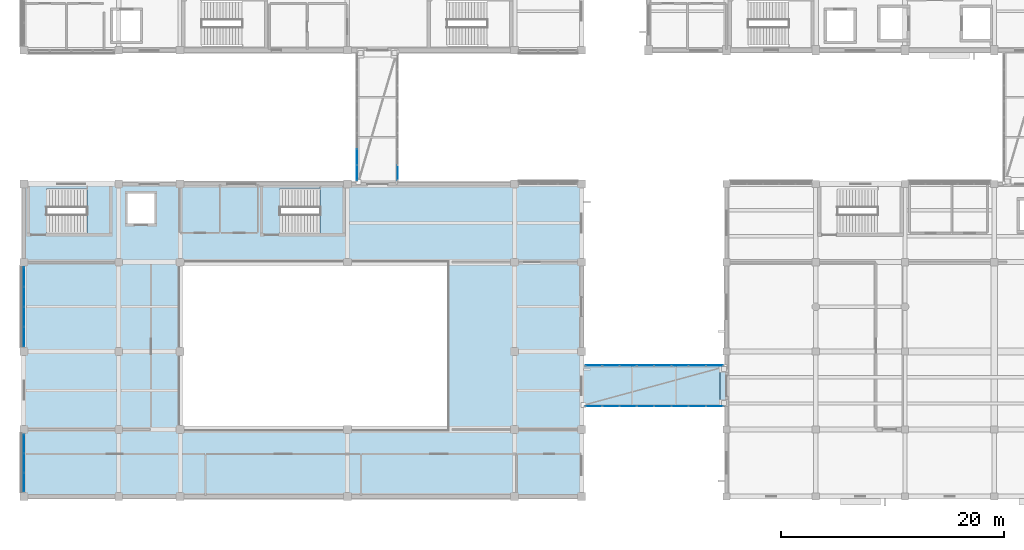
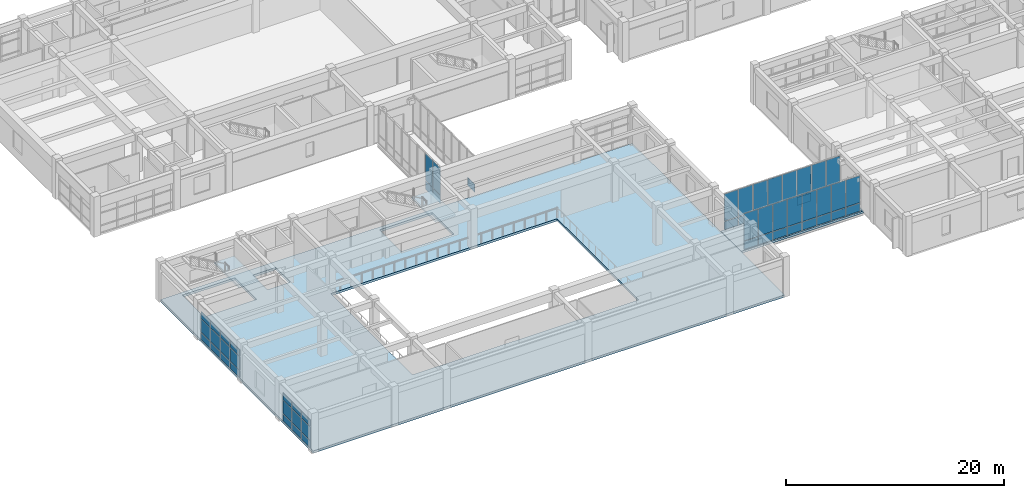
# One storey, part 36 of 70: 59 plates, 4 slabs, 8 elements without a shape of their own.
"""IFC4 building model written with IfcOpenShell, lengths in metres."""

from ifc_helpers import new_model, si_unit, direction, frame, origin, origin_2d, place, context, subcontext, project, spatial, polyline, rectangle, outline, extrude, material, layer, layer_set, type_object, element, aggregate, save


model = new_model("IFC4")

# Units and contexts
model_context = context("Model", 3, precision=1e-05, world=origin(), true_north=direction((0.0, 1.0)))
body_context = subcontext(model_context, "Body", "Model", "MODEL_VIEW")
ifc_project = project(units=[si_unit("LENGTHUNIT", "METRE"), si_unit("AREAUNIT", "SQUARE_METRE"), si_unit("VOLUMEUNIT", "CUBIC_METRE"), si_unit("PLANEANGLEUNIT", "RADIAN"), si_unit("MASSUNIT", "GRAM", prefix="KILO")], contexts=[model_context])

# Site, building, storey
site_placement = place(None, origin())
site = spatial("IfcSite", under=ifc_project, at=site_placement, CompositionType="ELEMENT")
building_placement = place(site_placement, origin())
building = spatial("IfcBuilding", under=site, at=building_placement, Name="Naurynzar Civic Courthouse", CompositionType="ELEMENT")
storey_placement = place(building_placement, frame((0.0, 0.0, 5.39990234375)))
storey = spatial("IfcBuildingStorey", under=building, at=storey_placement, Name="L02", CompositionType="ELEMENT", Elevation=5.39990234375)

# Curtain wall, plates
ifc_material_1 = material(Name="Aluminium 6063-T6", Category="aluminium")
ifc_layer_1 = layer(ifc_material_1, 0.14990234375)
ifc_layer_set_1 = layer_set([ifc_layer_1], Name="CW-BRIDGE-1500")
curtain_wall_type_1 = type_object("IfcCurtainWallType", Name="CW-BRIDGE-1500", PredefinedType="USERDEFINED", material=ifc_layer_set_1)
curtain_wall_1_placement = place(storey_placement, origin())
curtain_wall_1 = element("IfcCurtainWall", 1, at=curtain_wall_1_placement, inside=storey, type_object=curtain_wall_type_1, Name="BR-W1 glazed bridge screen L02.1", ObjectType="GLAZED BRIDGE SCREEN", PredefinedType="USERDEFINED")
ifc_material_2 = material(Name="Tempered Laminated Low-E Glass", Category="glass")
ifc_layer_2 = layer(ifc_material_2, 0.031982421875)
ifc_layer_set_2 = layer_set([ifc_layer_2], Name="CWP-IGU-32")
plate_type_1 = type_object("IfcPlateType", Name="CWP-IGU-32", PredefinedType="CURTAIN_PANEL", material=ifc_layer_set_2)
plate_1_placement = place(storey_placement, frame((35.8798828125, 34.4375, 0.06005859375), z_axis=(0.0, 0.0, 1.0), x_axis=(0.0, -1.0, 0.0)))
plate_1 = element("IfcPlate", 2, at=plate_1_placement, type_object=plate_type_1, Name="CW-03 panel 7.1", PredefinedType="CURTAIN_PANEL", context=body_context, shape_type="SweptSolid", body=[
    extrude(rectangle(XDim=1.364990234375, YDim=0.031982421875, at=origin_2d()), origin(), (0.0, 0.0, 1.0), 0.909912109375),
])
plate_2_placement = place(storey_placement, frame((35.8798828125, 34.4375, 1.0302734375), z_axis=(0.0, 0.0, 1.0), x_axis=(0.0, -1.0, 0.0)))
plate_2 = element("IfcPlate", 3, at=plate_2_placement, type_object=plate_type_1, Name="CW-03 panel 7.2", PredefinedType="CURTAIN_PANEL", context=body_context, shape_type="SweptSolid", body=[
    extrude(rectangle(XDim=1.364990234375, YDim=0.031982421875, at=origin_2d()), origin(), (0.0, 0.0, 1.0), 3.030029296875),
])
plate_3_placement = place(storey_placement, frame((35.8798828125, 33.027587890625, 0.06005859375), z_axis=(0.0, 0.0, 1.0), x_axis=(0.0, -1.0, 0.0)))
plate_3 = element("IfcPlate", 4, at=plate_3_placement, type_object=plate_type_1, Name="CW-03 panel 8.1", PredefinedType="CURTAIN_PANEL", context=body_context, shape_type="SweptSolid", body=[
    extrude(rectangle(XDim=1.3349609375, YDim=0.031982421875, at=origin_2d()), origin(), (0.0, 0.0, 1.0), 0.909912109375),
])
plate_4_placement = place(storey_placement, frame((35.8798828125, 33.027587890625, 1.0302734375), z_axis=(0.0, 0.0, 1.0), x_axis=(0.0, -1.0, 0.0)))
plate_4 = element("IfcPlate", 5, at=plate_4_placement, type_object=plate_type_1, Name="CW-03 panel 8.2", PredefinedType="CURTAIN_PANEL", context=body_context, shape_type="SweptSolid", body=[
    extrude(rectangle(XDim=1.3349609375, YDim=0.031982421875, at=origin_2d()), origin(), (0.0, 0.0, 1.0), 3.030029296875),
])
aggregate(curtain_wall_1, [plate_1, plate_2, plate_3, plate_4])

# Curtain wall, plate
curtain_wall_2_placement = place(storey_placement, origin())
curtain_wall_2 = element("IfcCurtainWall", 6, at=curtain_wall_2_placement, inside=storey, type_object=curtain_wall_type_1, Name="BR-W1 glazed bridge screen L02.2", ObjectType="GLAZED BRIDGE SCREEN", PredefinedType="USERDEFINED")
plate_5_placement = place(storey_placement, frame((39.52001953125, 33.027587890625, 0.06005859375), z_axis=(0.0, 0.0, 1.0), x_axis=(0.0, 1.0, 0.0)))
plate_5 = element("IfcPlate", 7, at=plate_5_placement, type_object=plate_type_1, Name="CW-03 panel 1.1", PredefinedType="CURTAIN_PANEL", context=body_context, shape_type="SweptSolid", body=[
    extrude(rectangle(XDim=1.3349609375, YDim=0.031982421875, at=origin_2d()), origin(), (0.0, 0.0, 1.0), 0.909912109375),
])
aggregate(curtain_wall_2, [plate_5])

# Curtain wall, plates
curtain_wall_3_placement = place(storey_placement, origin())
curtain_wall_3 = element("IfcCurtainWall", 8, at=curtain_wall_3_placement, inside=storey, type_object=curtain_wall_type_1, Name="BR-S1 glazed bridge screen L02.1", ObjectType="GLAZED BRIDGE SCREEN", PredefinedType="USERDEFINED")
plate_6_placement = place(storey_placement, frame((57.090087890625, 12.080078125, 0.06005859375), z_axis=(0.0, 0.0, 1.0), x_axis=(1.0, 0.0, 0.0)))
plate_6 = element("IfcPlate", 9, at=plate_6_placement, type_object=plate_type_1, Name="CW-03 panel 1.1", PredefinedType="CURTAIN_PANEL", context=body_context, shape_type="SweptSolid", body=[
    extrude(rectangle(XDim=1.4599609375, YDim=0.031982421875, at=origin_2d()), origin(), (0.0, 0.0, 1.0), 0.909912109375),
])
plate_7_placement = place(storey_placement, frame((57.090087890625, 12.080078125, 1.0302734375), z_axis=(0.0, 0.0, 1.0), x_axis=(1.0, 0.0, 0.0)))
plate_7 = element("IfcPlate", 10, at=plate_7_placement, type_object=plate_type_1, Name="CW-03 panel 1.2", PredefinedType="CURTAIN_PANEL", context=body_context, shape_type="SweptSolid", body=[
    extrude(rectangle(XDim=1.4599609375, YDim=0.031982421875, at=origin_2d()), origin(), (0.0, 0.0, 1.0), 3.030029296875),
])
plate_8_placement = place(storey_placement, frame((58.625, 12.080078125, 0.06005859375), z_axis=(0.0, 0.0, 1.0), x_axis=(1.0, 0.0, 0.0)))
plate_8 = element("IfcPlate", 11, at=plate_8_placement, type_object=plate_type_1, Name="CW-03 panel 2.1", PredefinedType="CURTAIN_PANEL", context=body_context, shape_type="SweptSolid", body=[
    extrude(rectangle(XDim=1.489990234375, YDim=0.031982421875, at=origin_2d()), origin(), (0.0, 0.0, 1.0), 0.909912109375),
])
plate_9_placement = place(storey_placement, frame((58.625, 12.080078125, 1.0302734375), z_axis=(0.0, 0.0, 1.0), x_axis=(1.0, 0.0, 0.0)))
plate_9 = element("IfcPlate", 12, at=plate_9_placement, type_object=plate_type_1, Name="CW-03 panel 2.2", PredefinedType="CURTAIN_PANEL", context=body_context, shape_type="SweptSolid", body=[
    extrude(rectangle(XDim=1.489990234375, YDim=0.031982421875, at=origin_2d()), origin(), (0.0, 0.0, 1.0), 3.030029296875),
])
plate_10_placement = place(storey_placement, frame((60.175048828125, 12.080078125, 0.06005859375), z_axis=(0.0, 0.0, 1.0), x_axis=(1.0, 0.0, 0.0)))
plate_10 = element("IfcPlate", 13, at=plate_10_placement, type_object=plate_type_1, Name="CW-03 panel 3.1", PredefinedType="CURTAIN_PANEL", context=body_context, shape_type="SweptSolid", body=[
    extrude(rectangle(XDim=1.489990234375, YDim=0.031982421875, at=origin_2d()), origin(), (0.0, 0.0, 1.0), 0.909912109375),
])
plate_11_placement = place(storey_placement, frame((60.175048828125, 12.080078125, 1.0302734375), z_axis=(0.0, 0.0, 1.0), x_axis=(1.0, 0.0, 0.0)))
plate_11 = element("IfcPlate", 14, at=plate_11_placement, type_object=plate_type_1, Name="CW-03 panel 3.2", PredefinedType="CURTAIN_PANEL", context=body_context, shape_type="SweptSolid", body=[
    extrude(rectangle(XDim=1.489990234375, YDim=0.031982421875, at=origin_2d()), origin(), (0.0, 0.0, 1.0), 3.030029296875),
])
plate_12_placement = place(storey_placement, frame((61.72509765625, 12.080078125, 0.06005859375), z_axis=(0.0, 0.0, 1.0), x_axis=(1.0, 0.0, 0.0)))
plate_12 = element("IfcPlate", 15, at=plate_12_placement, type_object=plate_type_1, Name="CW-03 panel 4.1", PredefinedType="CURTAIN_PANEL", context=body_context, shape_type="SweptSolid", body=[
    extrude(rectangle(XDim=1.489990234375, YDim=0.031982421875, at=origin_2d()), origin(), (0.0, 0.0, 1.0), 0.909912109375),
])
plate_13_placement = place(storey_placement, frame((61.72509765625, 12.080078125, 1.0302734375), z_axis=(0.0, 0.0, 1.0), x_axis=(1.0, 0.0, 0.0)))
plate_13 = element("IfcPlate", 16, at=plate_13_placement, type_object=plate_type_1, Name="CW-03 panel 4.2", PredefinedType="CURTAIN_PANEL", context=body_context, shape_type="SweptSolid", body=[
    extrude(rectangle(XDim=1.489990234375, YDim=0.031982421875, at=origin_2d()), origin(), (0.0, 0.0, 1.0), 3.030029296875),
])
plate_14_placement = place(storey_placement, frame((63.27490234375, 12.080078125, 0.06005859375), z_axis=(0.0, 0.0, 1.0), x_axis=(1.0, 0.0, 0.0)))
plate_14 = element("IfcPlate", 17, at=plate_14_placement, type_object=plate_type_1, Name="CW-03 panel 5.1", PredefinedType="CURTAIN_PANEL", context=body_context, shape_type="SweptSolid", body=[
    extrude(rectangle(XDim=1.489990234375, YDim=0.031982421875, at=origin_2d()), origin(), (0.0, 0.0, 1.0), 0.909912109375),
])
plate_15_placement = place(storey_placement, frame((63.27490234375, 12.080078125, 1.0302734375), z_axis=(0.0, 0.0, 1.0), x_axis=(1.0, 0.0, 0.0)))
plate_15 = element("IfcPlate", 18, at=plate_15_placement, type_object=plate_type_1, Name="CW-03 panel 5.2", PredefinedType="CURTAIN_PANEL", context=body_context, shape_type="SweptSolid", body=[
    extrude(rectangle(XDim=1.489990234375, YDim=0.031982421875, at=origin_2d()), origin(), (0.0, 0.0, 1.0), 3.030029296875),
])
plate_16_placement = place(storey_placement, frame((64.824951171875, 12.080078125, 0.06005859375), z_axis=(0.0, 0.0, 1.0), x_axis=(1.0, 0.0, 0.0)))
plate_16 = element("IfcPlate", 19, at=plate_16_placement, type_object=plate_type_1, Name="CW-03 panel 6.1", PredefinedType="CURTAIN_PANEL", context=body_context, shape_type="SweptSolid", body=[
    extrude(rectangle(XDim=1.489990234375, YDim=0.031982421875, at=origin_2d()), origin(), (0.0, 0.0, 1.0), 0.909912109375),
])
plate_17_placement = place(storey_placement, frame((64.824951171875, 12.080078125, 1.0302734375), z_axis=(0.0, 0.0, 1.0), x_axis=(1.0, 0.0, 0.0)))
plate_17 = element("IfcPlate", 20, at=plate_17_placement, type_object=plate_type_1, Name="CW-03 panel 6.2", PredefinedType="CURTAIN_PANEL", context=body_context, shape_type="SweptSolid", body=[
    extrude(rectangle(XDim=1.489990234375, YDim=0.031982421875, at=origin_2d()), origin(), (0.0, 0.0, 1.0), 3.030029296875),
])
plate_18_placement = place(storey_placement, frame((66.375, 12.080078125, 0.06005859375), z_axis=(0.0, 0.0, 1.0), x_axis=(1.0, 0.0, 0.0)))
plate_18 = element("IfcPlate", 21, at=plate_18_placement, type_object=plate_type_1, Name="CW-03 panel 7.1", PredefinedType="CURTAIN_PANEL", context=body_context, shape_type="SweptSolid", body=[
    extrude(rectangle(XDim=1.489990234375, YDim=0.031982421875, at=origin_2d()), origin(), (0.0, 0.0, 1.0), 0.909912109375),
])
plate_19_placement = place(storey_placement, frame((66.375, 12.080078125, 1.0302734375), z_axis=(0.0, 0.0, 1.0), x_axis=(1.0, 0.0, 0.0)))
plate_19 = element("IfcPlate", 22, at=plate_19_placement, type_object=plate_type_1, Name="CW-03 panel 7.2", PredefinedType="CURTAIN_PANEL", context=body_context, shape_type="SweptSolid", body=[
    extrude(rectangle(XDim=1.489990234375, YDim=0.031982421875, at=origin_2d()), origin(), (0.0, 0.0, 1.0), 3.030029296875),
])
plate_20_placement = place(storey_placement, frame((67.909912109375, 12.080078125, 0.06005859375), z_axis=(0.0, 0.0, 1.0), x_axis=(1.0, 0.0, 0.0)))
plate_20 = element("IfcPlate", 23, at=plate_20_placement, type_object=plate_type_1, Name="CW-03 panel 8.1", PredefinedType="CURTAIN_PANEL", context=body_context, shape_type="SweptSolid", body=[
    extrude(rectangle(XDim=1.4599609375, YDim=0.031982421875, at=origin_2d()), origin(), (0.0, 0.0, 1.0), 0.909912109375),
])
plate_21_placement = place(storey_placement, frame((67.909912109375, 12.080078125, 1.0302734375), z_axis=(0.0, 0.0, 1.0), x_axis=(1.0, 0.0, 0.0)))
plate_21 = element("IfcPlate", 24, at=plate_21_placement, type_object=plate_type_1, Name="CW-03 panel 8.2", PredefinedType="CURTAIN_PANEL", context=body_context, shape_type="SweptSolid", body=[
    extrude(rectangle(XDim=1.4599609375, YDim=0.031982421875, at=origin_2d()), origin(), (0.0, 0.0, 1.0), 3.030029296875),
])
aggregate(curtain_wall_3, [plate_6, plate_7, plate_8, plate_9, plate_10, plate_11, plate_12, plate_13, plate_14, plate_15, plate_16, plate_17, plate_18, plate_19, plate_20, plate_21])

curtain_wall_4_placement = place(storey_placement, origin())
curtain_wall_4 = element("IfcCurtainWall", 25, at=curtain_wall_4_placement, inside=storey, type_object=curtain_wall_type_1, Name="BR-S1 glazed bridge screen L02.2", ObjectType="GLAZED BRIDGE SCREEN", PredefinedType="USERDEFINED")
plate_22_placement = place(storey_placement, frame((67.909912109375, 15.719970703125, 0.06005859375), z_axis=(0.0, 0.0, 1.0), x_axis=(-1.0, 0.0, 0.0)))
plate_22 = element("IfcPlate", 26, at=plate_22_placement, type_object=plate_type_1, Name="CW-03 panel 1.1", PredefinedType="CURTAIN_PANEL", context=body_context, shape_type="SweptSolid", body=[
    extrude(rectangle(XDim=1.4599609375, YDim=0.031982421875, at=origin_2d()), origin(), (0.0, 0.0, 1.0), 0.909912109375),
])
plate_23_placement = place(storey_placement, frame((67.909912109375, 15.719970703125, 1.0302734375), z_axis=(0.0, 0.0, 1.0), x_axis=(-1.0, 0.0, 0.0)))
plate_23 = element("IfcPlate", 27, at=plate_23_placement, type_object=plate_type_1, Name="CW-03 panel 1.2", PredefinedType="CURTAIN_PANEL", context=body_context, shape_type="SweptSolid", body=[
    extrude(rectangle(XDim=1.4599609375, YDim=0.031982421875, at=origin_2d()), origin(), (0.0, 0.0, 1.0), 3.030029296875),
])
plate_24_placement = place(storey_placement, frame((66.375, 15.719970703125, 0.06005859375), z_axis=(0.0, 0.0, 1.0), x_axis=(-1.0, 0.0, 0.0)))
plate_24 = element("IfcPlate", 28, at=plate_24_placement, type_object=plate_type_1, Name="CW-03 panel 2.1", PredefinedType="CURTAIN_PANEL", context=body_context, shape_type="SweptSolid", body=[
    extrude(rectangle(XDim=1.489990234375, YDim=0.031982421875, at=origin_2d()), origin(), (0.0, 0.0, 1.0), 0.909912109375),
])
plate_25_placement = place(storey_placement, frame((66.375, 15.719970703125, 1.0302734375), z_axis=(0.0, 0.0, 1.0), x_axis=(-1.0, 0.0, 0.0)))
plate_25 = element("IfcPlate", 29, at=plate_25_placement, type_object=plate_type_1, Name="CW-03 panel 2.2", PredefinedType="CURTAIN_PANEL", context=body_context, shape_type="SweptSolid", body=[
    extrude(rectangle(XDim=1.489990234375, YDim=0.031982421875, at=origin_2d()), origin(), (0.0, 0.0, 1.0), 3.030029296875),
])
plate_26_placement = place(storey_placement, frame((64.824951171875, 15.719970703125, 0.06005859375), z_axis=(0.0, 0.0, 1.0), x_axis=(-1.0, 0.0, 0.0)))
plate_26 = element("IfcPlate", 30, at=plate_26_placement, type_object=plate_type_1, Name="CW-03 panel 3.1", PredefinedType="CURTAIN_PANEL", context=body_context, shape_type="SweptSolid", body=[
    extrude(rectangle(XDim=1.489990234375, YDim=0.031982421875, at=origin_2d()), origin(), (0.0, 0.0, 1.0), 0.909912109375),
])
plate_27_placement = place(storey_placement, frame((64.824951171875, 15.719970703125, 1.0302734375), z_axis=(0.0, 0.0, 1.0), x_axis=(-1.0, 0.0, 0.0)))
plate_27 = element("IfcPlate", 31, at=plate_27_placement, type_object=plate_type_1, Name="CW-03 panel 3.2", PredefinedType="CURTAIN_PANEL", context=body_context, shape_type="SweptSolid", body=[
    extrude(rectangle(XDim=1.489990234375, YDim=0.031982421875, at=origin_2d()), origin(), (0.0, 0.0, 1.0), 3.030029296875),
])
plate_28_placement = place(storey_placement, frame((63.27490234375, 15.719970703125, 0.06005859375), z_axis=(0.0, 0.0, 1.0), x_axis=(-1.0, 0.0, 0.0)))
plate_28 = element("IfcPlate", 32, at=plate_28_placement, type_object=plate_type_1, Name="CW-03 panel 4.1", PredefinedType="CURTAIN_PANEL", context=body_context, shape_type="SweptSolid", body=[
    extrude(rectangle(XDim=1.489990234375, YDim=0.031982421875, at=origin_2d()), origin(), (0.0, 0.0, 1.0), 0.909912109375),
])
plate_29_placement = place(storey_placement, frame((63.27490234375, 15.719970703125, 1.0302734375), z_axis=(0.0, 0.0, 1.0), x_axis=(-1.0, 0.0, 0.0)))
plate_29 = element("IfcPlate", 33, at=plate_29_placement, type_object=plate_type_1, Name="CW-03 panel 4.2", PredefinedType="CURTAIN_PANEL", context=body_context, shape_type="SweptSolid", body=[
    extrude(rectangle(XDim=1.489990234375, YDim=0.031982421875, at=origin_2d()), origin(), (0.0, 0.0, 1.0), 3.030029296875),
])
plate_30_placement = place(storey_placement, frame((61.72509765625, 15.719970703125, 0.06005859375), z_axis=(0.0, 0.0, 1.0), x_axis=(-1.0, 0.0, 0.0)))
plate_30 = element("IfcPlate", 34, at=plate_30_placement, type_object=plate_type_1, Name="CW-03 panel 5.1", PredefinedType="CURTAIN_PANEL", context=body_context, shape_type="SweptSolid", body=[
    extrude(rectangle(XDim=1.489990234375, YDim=0.031982421875, at=origin_2d()), origin(), (0.0, 0.0, 1.0), 0.909912109375),
])
plate_31_placement = place(storey_placement, frame((61.72509765625, 15.719970703125, 1.0302734375), z_axis=(0.0, 0.0, 1.0), x_axis=(-1.0, 0.0, 0.0)))
plate_31 = element("IfcPlate", 35, at=plate_31_placement, type_object=plate_type_1, Name="CW-03 panel 5.2", PredefinedType="CURTAIN_PANEL", context=body_context, shape_type="SweptSolid", body=[
    extrude(rectangle(XDim=1.489990234375, YDim=0.031982421875, at=origin_2d()), origin(), (0.0, 0.0, 1.0), 3.030029296875),
])
plate_32_placement = place(storey_placement, frame((60.175048828125, 15.719970703125, 0.06005859375), z_axis=(0.0, 0.0, 1.0), x_axis=(-1.0, 0.0, 0.0)))
plate_32 = element("IfcPlate", 36, at=plate_32_placement, type_object=plate_type_1, Name="CW-03 panel 6.1", PredefinedType="CURTAIN_PANEL", context=body_context, shape_type="SweptSolid", body=[
    extrude(rectangle(XDim=1.489990234375, YDim=0.031982421875, at=origin_2d()), origin(), (0.0, 0.0, 1.0), 0.909912109375),
])
plate_33_placement = place(storey_placement, frame((60.175048828125, 15.719970703125, 1.0302734375), z_axis=(0.0, 0.0, 1.0), x_axis=(-1.0, 0.0, 0.0)))
plate_33 = element("IfcPlate", 37, at=plate_33_placement, type_object=plate_type_1, Name="CW-03 panel 6.2", PredefinedType="CURTAIN_PANEL", context=body_context, shape_type="SweptSolid", body=[
    extrude(rectangle(XDim=1.489990234375, YDim=0.031982421875, at=origin_2d()), origin(), (0.0, 0.0, 1.0), 3.030029296875),
])
plate_34_placement = place(storey_placement, frame((58.625, 15.719970703125, 0.06005859375), z_axis=(0.0, 0.0, 1.0), x_axis=(-1.0, 0.0, 0.0)))
plate_34 = element("IfcPlate", 38, at=plate_34_placement, type_object=plate_type_1, Name="CW-03 panel 7.1", PredefinedType="CURTAIN_PANEL", context=body_context, shape_type="SweptSolid", body=[
    extrude(rectangle(XDim=1.489990234375, YDim=0.031982421875, at=origin_2d()), origin(), (0.0, 0.0, 1.0), 0.909912109375),
])
plate_35_placement = place(storey_placement, frame((58.625, 15.719970703125, 1.0302734375), z_axis=(0.0, 0.0, 1.0), x_axis=(-1.0, 0.0, 0.0)))
plate_35 = element("IfcPlate", 39, at=plate_35_placement, type_object=plate_type_1, Name="CW-03 panel 7.2", PredefinedType="CURTAIN_PANEL", context=body_context, shape_type="SweptSolid", body=[
    extrude(rectangle(XDim=1.489990234375, YDim=0.031982421875, at=origin_2d()), origin(), (0.0, 0.0, 1.0), 3.030029296875),
])
plate_36_placement = place(storey_placement, frame((57.090087890625, 15.719970703125, 0.06005859375), z_axis=(0.0, 0.0, 1.0), x_axis=(-1.0, 0.0, 0.0)))
plate_36 = element("IfcPlate", 40, at=plate_36_placement, type_object=plate_type_1, Name="CW-03 panel 8.1", PredefinedType="CURTAIN_PANEL", context=body_context, shape_type="SweptSolid", body=[
    extrude(rectangle(XDim=1.4599609375, YDim=0.031982421875, at=origin_2d()), origin(), (0.0, 0.0, 1.0), 0.909912109375),
])
plate_37_placement = place(storey_placement, frame((57.090087890625, 15.719970703125, 1.0302734375), z_axis=(0.0, 0.0, 1.0), x_axis=(-1.0, 0.0, 0.0)))
plate_37 = element("IfcPlate", 41, at=plate_37_placement, type_object=plate_type_1, Name="CW-03 panel 8.2", PredefinedType="CURTAIN_PANEL", context=body_context, shape_type="SweptSolid", body=[
    extrude(rectangle(XDim=1.4599609375, YDim=0.031982421875, at=origin_2d()), origin(), (0.0, 0.0, 1.0), 3.030029296875),
])
aggregate(curtain_wall_4, [plate_22, plate_23, plate_24, plate_25, plate_26, plate_27, plate_28, plate_29, plate_30, plate_31, plate_32, plate_33, plate_34, plate_35, plate_36, plate_37])

ifc_material_3 = material(Name="Aluminium 6063-T6", Category="aluminium")
ifc_layer_3 = layer(ifc_material_3, 0.159912109375)
ifc_layer_set_3 = layer_set([ifc_layer_3], Name="CW-UNIT-1800")
curtain_wall_type_2 = type_object("IfcCurtainWallType", Name="CW-UNIT-1800", PredefinedType="NOTDEFINED", material=ifc_layer_set_3)
curtain_wall_5_placement = place(storey_placement, origin())
curtain_wall_5 = element("IfcCurtainWall", 42, at=curtain_wall_5_placement, inside=storey, type_object=curtain_wall_type_2, Name="V4 unitised curtain wall 74 L02", PredefinedType="NOTDEFINED")
ifc_material_4 = material(Name="Tempered Laminated Low-E Glass", Category="glass")
ifc_layer_4 = layer(ifc_material_4, 0.035888671875)
ifc_layer_set_4 = layer_set([ifc_layer_4], Name="CWP-IGU-36")
plate_type_2 = type_object("IfcPlateType", Name="CWP-IGU-36", PredefinedType="CURTAIN_PANEL", material=ifc_layer_set_4)
plate_38_placement = place(storey_placement, frame((6.0, 5.2841796875, 0.070068359375), z_axis=(0.0, 0.0, 1.0), x_axis=(0.0, 1.0, 0.0)))
plate_38 = element("IfcPlate", 43, at=plate_38_placement, type_object=plate_type_2, Name="CW-02 panel 1.1", PredefinedType="CURTAIN_PANEL", context=body_context, shape_type="SweptSolid", body=[
    extrude(rectangle(XDim=1.62841796875, YDim=0.035888671875, at=origin_2d()), origin(), (0.0, 0.0, 1.0), 0.7451171875),
])
plate_39_placement = place(storey_placement, frame((6.0, 5.2841796875, 0.88525390625), z_axis=(0.0, 0.0, 1.0), x_axis=(0.0, 1.0, 0.0)))
plate_39 = element("IfcPlate", 44, at=plate_39_placement, type_object=plate_type_2, Name="CW-02 panel 1.2", PredefinedType="CURTAIN_PANEL", context=body_context, shape_type="SweptSolid", body=[
    extrude(rectangle(XDim=1.62841796875, YDim=0.035888671875, at=origin_2d()), origin(), (0.0, 0.0, 1.0), 1.489990234375),
])
plate_40_placement = place(storey_placement, frame((6.0, 5.2841796875, 2.445068359375), z_axis=(0.0, 0.0, 1.0), x_axis=(0.0, 1.0, 0.0)))
plate_40 = element("IfcPlate", 45, at=plate_40_placement, type_object=plate_type_2, Name="CW-02 panel 1.3", PredefinedType="CURTAIN_PANEL", context=body_context, shape_type="SweptSolid", body=[
    extrude(rectangle(XDim=1.62841796875, YDim=0.035888671875, at=origin_2d()), origin(), (0.0, 0.0, 1.0), 0.7451171875),
])
plate_41_placement = place(storey_placement, frame((6.0, 7.0, 0.070068359375), z_axis=(0.0, 0.0, 1.0), x_axis=(0.0, 1.0, 0.0)))
plate_41 = element("IfcPlate", 46, at=plate_41_placement, type_object=plate_type_2, Name="CW-02 panel 2.1", PredefinedType="CURTAIN_PANEL", context=body_context, shape_type="SweptSolid", body=[
    extrude(rectangle(XDim=1.663330078125, YDim=0.035888671875, at=origin_2d()), origin(), (0.0, 0.0, 1.0), 0.7451171875),
])
plate_42_placement = place(storey_placement, frame((6.0, 7.0, 0.88525390625), z_axis=(0.0, 0.0, 1.0), x_axis=(0.0, 1.0, 0.0)))
plate_42 = element("IfcPlate", 47, at=plate_42_placement, type_object=plate_type_2, Name="CW-02 panel 2.2", PredefinedType="CURTAIN_PANEL", context=body_context, shape_type="SweptSolid", body=[
    extrude(rectangle(XDim=1.663330078125, YDim=0.035888671875, at=origin_2d()), origin(), (0.0, 0.0, 1.0), 1.489990234375),
])
plate_43_placement = place(storey_placement, frame((6.0, 7.0, 2.445068359375), z_axis=(0.0, 0.0, 1.0), x_axis=(0.0, 1.0, 0.0)))
plate_43 = element("IfcPlate", 48, at=plate_43_placement, type_object=plate_type_2, Name="CW-02 panel 2.3", PredefinedType="CURTAIN_PANEL", context=body_context, shape_type="SweptSolid", body=[
    extrude(rectangle(XDim=1.663330078125, YDim=0.035888671875, at=origin_2d()), origin(), (0.0, 0.0, 1.0), 0.7451171875),
])
plate_44_placement = place(storey_placement, frame((6.0, 8.7158203125, 0.070068359375), z_axis=(0.0, 0.0, 1.0), x_axis=(0.0, 1.0, 0.0)))
plate_44 = element("IfcPlate", 49, at=plate_44_placement, type_object=plate_type_2, Name="CW-02 panel 3.1", PredefinedType="CURTAIN_PANEL", context=body_context, shape_type="SweptSolid", body=[
    extrude(rectangle(XDim=1.62841796875, YDim=0.035888671875, at=origin_2d()), origin(), (0.0, 0.0, 1.0), 0.7451171875),
])
plate_45_placement = place(storey_placement, frame((6.0, 8.7158203125, 0.88525390625), z_axis=(0.0, 0.0, 1.0), x_axis=(0.0, 1.0, 0.0)))
plate_45 = element("IfcPlate", 50, at=plate_45_placement, type_object=plate_type_2, Name="CW-02 panel 3.2", PredefinedType="CURTAIN_PANEL", context=body_context, shape_type="SweptSolid", body=[
    extrude(rectangle(XDim=1.62841796875, YDim=0.035888671875, at=origin_2d()), origin(), (0.0, 0.0, 1.0), 1.489990234375),
])
plate_46_placement = place(storey_placement, frame((6.0, 8.7158203125, 2.445068359375), z_axis=(0.0, 0.0, 1.0), x_axis=(0.0, 1.0, 0.0)))
plate_46 = element("IfcPlate", 51, at=plate_46_placement, type_object=plate_type_2, Name="CW-02 panel 3.3", PredefinedType="CURTAIN_PANEL", context=body_context, shape_type="SweptSolid", body=[
    extrude(rectangle(XDim=1.62841796875, YDim=0.035888671875, at=origin_2d()), origin(), (0.0, 0.0, 1.0), 0.7451171875),
])
aggregate(curtain_wall_5, [plate_38, plate_39, plate_40, plate_41, plate_42, plate_43, plate_44, plate_45, plate_46])

curtain_wall_6_placement = place(storey_placement, origin())
curtain_wall_6 = element("IfcCurtainWall", 52, at=curtain_wall_6_placement, inside=storey, type_object=curtain_wall_type_2, Name="V4 unitised curtain wall 75 L02", PredefinedType="NOTDEFINED")
plate_47_placement = place(storey_placement, frame((6.0, 18.3173828125, 0.070068359375), z_axis=(0.0, 0.0, 1.0), x_axis=(0.0, 1.0, 0.0)))
plate_47 = element("IfcPlate", 53, at=plate_47_placement, type_object=plate_type_2, Name="CW-02 panel 1.1", PredefinedType="CURTAIN_PANEL", context=body_context, shape_type="SweptSolid", body=[
    extrude(rectangle(XDim=1.695068359375, YDim=0.035888671875, at=origin_2d()), origin(), (0.0, 0.0, 1.0), 0.7451171875),
])
plate_48_placement = place(storey_placement, frame((6.0, 18.3173828125, 0.88525390625), z_axis=(0.0, 0.0, 1.0), x_axis=(0.0, 1.0, 0.0)))
plate_48 = element("IfcPlate", 54, at=plate_48_placement, type_object=plate_type_2, Name="CW-02 panel 1.2", PredefinedType="CURTAIN_PANEL", context=body_context, shape_type="SweptSolid", body=[
    extrude(rectangle(XDim=1.695068359375, YDim=0.035888671875, at=origin_2d()), origin(), (0.0, 0.0, 1.0), 1.489990234375),
])
plate_49_placement = place(storey_placement, frame((6.0, 18.3173828125, 2.445068359375), z_axis=(0.0, 0.0, 1.0), x_axis=(0.0, 1.0, 0.0)))
plate_49 = element("IfcPlate", 55, at=plate_49_placement, type_object=plate_type_2, Name="CW-02 panel 1.3", PredefinedType="CURTAIN_PANEL", context=body_context, shape_type="SweptSolid", body=[
    extrude(rectangle(XDim=1.695068359375, YDim=0.035888671875, at=origin_2d()), origin(), (0.0, 0.0, 1.0), 0.7451171875),
])
plate_50_placement = place(storey_placement, frame((6.0, 20.10009765625, 0.070068359375), z_axis=(0.0, 0.0, 1.0), x_axis=(0.0, 1.0, 0.0)))
plate_50 = element("IfcPlate", 56, at=plate_50_placement, type_object=plate_type_2, Name="CW-02 panel 2.1", PredefinedType="CURTAIN_PANEL", context=body_context, shape_type="SweptSolid", body=[
    extrude(rectangle(XDim=1.72998046875, YDim=0.035888671875, at=origin_2d()), origin(), (0.0, 0.0, 1.0), 0.7451171875),
])
plate_51_placement = place(storey_placement, frame((6.0, 20.10009765625, 0.88525390625), z_axis=(0.0, 0.0, 1.0), x_axis=(0.0, 1.0, 0.0)))
plate_51 = element("IfcPlate", 57, at=plate_51_placement, type_object=plate_type_2, Name="CW-02 panel 2.2", PredefinedType="CURTAIN_PANEL", context=body_context, shape_type="SweptSolid", body=[
    extrude(rectangle(XDim=1.72998046875, YDim=0.035888671875, at=origin_2d()), origin(), (0.0, 0.0, 1.0), 1.489990234375),
])
plate_52_placement = place(storey_placement, frame((6.0, 20.10009765625, 2.445068359375), z_axis=(0.0, 0.0, 1.0), x_axis=(0.0, 1.0, 0.0)))
plate_52 = element("IfcPlate", 58, at=plate_52_placement, type_object=plate_type_2, Name="CW-02 panel 2.3", PredefinedType="CURTAIN_PANEL", context=body_context, shape_type="SweptSolid", body=[
    extrude(rectangle(XDim=1.72998046875, YDim=0.035888671875, at=origin_2d()), origin(), (0.0, 0.0, 1.0), 0.7451171875),
])
plate_53_placement = place(storey_placement, frame((6.0, 21.89990234375, 0.070068359375), z_axis=(0.0, 0.0, 1.0), x_axis=(0.0, 1.0, 0.0)))
plate_53 = element("IfcPlate", 59, at=plate_53_placement, type_object=plate_type_2, Name="CW-02 panel 3.1", PredefinedType="CURTAIN_PANEL", context=body_context, shape_type="SweptSolid", body=[
    extrude(rectangle(XDim=1.72998046875, YDim=0.035888671875, at=origin_2d()), origin(), (0.0, 0.0, 1.0), 0.7451171875),
])
plate_54_placement = place(storey_placement, frame((6.0, 21.89990234375, 0.88525390625), z_axis=(0.0, 0.0, 1.0), x_axis=(0.0, 1.0, 0.0)))
plate_54 = element("IfcPlate", 60, at=plate_54_placement, type_object=plate_type_2, Name="CW-02 panel 3.2", PredefinedType="CURTAIN_PANEL", context=body_context, shape_type="SweptSolid", body=[
    extrude(rectangle(XDim=1.72998046875, YDim=0.035888671875, at=origin_2d()), origin(), (0.0, 0.0, 1.0), 1.489990234375),
])
plate_55_placement = place(storey_placement, frame((6.0, 21.89990234375, 2.445068359375), z_axis=(0.0, 0.0, 1.0), x_axis=(0.0, 1.0, 0.0)))
plate_55 = element("IfcPlate", 61, at=plate_55_placement, type_object=plate_type_2, Name="CW-02 panel 3.3", PredefinedType="CURTAIN_PANEL", context=body_context, shape_type="SweptSolid", body=[
    extrude(rectangle(XDim=1.72998046875, YDim=0.035888671875, at=origin_2d()), origin(), (0.0, 0.0, 1.0), 0.7451171875),
])
plate_56_placement = place(storey_placement, frame((6.0, 23.6826171875, 0.070068359375), z_axis=(0.0, 0.0, 1.0), x_axis=(0.0, 1.0, 0.0)))
plate_56 = element("IfcPlate", 62, at=plate_56_placement, type_object=plate_type_2, Name="CW-02 panel 4.1", PredefinedType="CURTAIN_PANEL", context=body_context, shape_type="SweptSolid", body=[
    extrude(rectangle(XDim=1.695068359375, YDim=0.035888671875, at=origin_2d()), origin(), (0.0, 0.0, 1.0), 0.7451171875),
])
plate_57_placement = place(storey_placement, frame((6.0, 23.6826171875, 0.88525390625), z_axis=(0.0, 0.0, 1.0), x_axis=(0.0, 1.0, 0.0)))
plate_57 = element("IfcPlate", 63, at=plate_57_placement, type_object=plate_type_2, Name="CW-02 panel 4.2", PredefinedType="CURTAIN_PANEL", context=body_context, shape_type="SweptSolid", body=[
    extrude(rectangle(XDim=1.695068359375, YDim=0.035888671875, at=origin_2d()), origin(), (0.0, 0.0, 1.0), 1.489990234375),
])
plate_58_placement = place(storey_placement, frame((6.0, 23.6826171875, 2.445068359375), z_axis=(0.0, 0.0, 1.0), x_axis=(0.0, 1.0, 0.0)))
plate_58 = element("IfcPlate", 64, at=plate_58_placement, type_object=plate_type_2, Name="CW-02 panel 4.3", PredefinedType="CURTAIN_PANEL", context=body_context, shape_type="SweptSolid", body=[
    extrude(rectangle(XDim=1.695068359375, YDim=0.035888671875, at=origin_2d()), origin(), (0.0, 0.0, 1.0), 0.7451171875),
])
aggregate(curtain_wall_6, [plate_47, plate_48, plate_49, plate_50, plate_51, plate_52, plate_53, plate_54, plate_55, plate_56, plate_57, plate_58])

# Plate
ifc_material_5 = material(Name="Brushed Stainless Steel 304", Category="steel")
ifc_layer_5 = layer(ifc_material_5, 0.011962890625)
ifc_layer_set_5 = layer_set([ifc_layer_5], Name="PLT-SEISMIC-COVER-12")
plate_type_3 = type_object("IfcPlateType", Name="PLT-SEISMIC-COVER-12", PredefinedType="SHEET", material=ifc_layer_set_5)
plate_59_placement = place(storey_placement, frame((68.699951171875, 13.89990234375, 0.0), z_axis=(0.0, 0.0, 1.0), x_axis=(1.0, 0.0, 0.0)))
element("IfcPlate", 65, at=plate_59_placement, inside=storey, type_object=plate_type_3, Name="BR-S1 seismic floor joint cover plate L02", PredefinedType="SHEET", context=body_context, shape_type="SweptSolid", body=[
    extrude(rectangle(XDim=0.60009765625, YDim=3.39990234375, at=origin_2d()), origin(), (0.0, 0.0, 1.0), 0.011962890625),
])

# Slabs
ifc_material_6 = material(Name="Concrete C35/45", Category="concrete")
ifc_layer_6 = layer(ifc_material_6, 0.239990234375)
ifc_layer_set_6 = layer_set([ifc_layer_6], Name="SLB-BRG-240")
slab_type_1 = type_object("IfcSlabType", Name="SLB-BRG-240", PredefinedType="FLOOR", material=ifc_layer_set_6)
slab_1_placement = place(storey_placement, frame((0.0, 0.0, -0.239990234375)))
element("IfcSlab", 66, at=slab_1_placement, inside=storey, type_object=slab_type_1, Name="South Registry Seismic Link Passage deck slab L02", PredefinedType="FLOOR", context=body_context, shape_type="SweptSolid", body=[
    extrude(outline(polyline([(56.02001953125, 12.02001953125), (68.97998046875, 12.02001953125), (68.97998046875, 15.780029296875), (56.02001953125, 15.780029296875), (56.02001953125, 12.02001953125)])), origin(), (0.0, 0.0, 1.0), 0.239990234375),
])
ifc_material_7 = material(Name="Concrete C35/45", Category="concrete")
ifc_layer_7 = layer(ifc_material_7, 0.260009765625)
ifc_layer_set_7 = layer_set([ifc_layer_7], Name="SLB-HALL-260")
slab_type_2 = type_object("IfcSlabType", Name="SLB-HALL-260", PredefinedType="FLOOR", material=ifc_layer_set_7)
slab_2_placement = place(storey_placement, frame((0.0, 0.0, -0.260009765625)))
element("IfcSlab", 67, at=slab_2_placement, inside=storey, type_object=slab_type_2, Name="V4 floor slab L02", PredefinedType="FLOOR", context=body_context, shape_type="SweptSolid", body=[
    extrude(outline(polyline([(6.0, 4.0), (6.0, 32.0), (56.0, 32.0), (56.0, 4.0), (6.0, 4.0)]), holes=[polyline([(44.0, 25.0), (20.0, 25.0), (20.0, 10.0), (44.0, 10.0), (44.0, 25.0)]), polyline([(8.080078125, 27.60009765625), (13.64990234375, 27.60009765625), (13.64990234375, 31.60009765625), (8.080078125, 31.60009765625), (8.080078125, 27.60009765625)]), polyline([(28.97998046875, 27.60009765625), (34.550048828125, 27.60009765625), (34.550048828125, 31.60009765625), (28.97998046875, 31.60009765625), (28.97998046875, 27.60009765625)]), polyline([(15.300048828125, 28.449951171875), (17.699951171875, 28.449951171875), (17.699951171875, 31.14990234375), (15.300048828125, 31.14990234375), (15.300048828125, 28.449951171875)])]), origin(), (0.0, 0.0, 1.0), 0.260009765625),
])

# Stair, slab
ifc_material_8 = material(Name="Concrete C35/45", Category="concrete")
stair_type = type_object("IfcStairType", Name="STAIR-CORE-1600", PredefinedType="TWO_STRAIGHT_RUN_STAIR", material=ifc_material_8)
stair_1_placement = place(storey_placement, origin())
stair_1 = element("IfcStair", 68, at=stair_1_placement, inside=storey, type_object=stair_type, Name="Enclosed escape stair ST-V4A L02", PredefinedType="TWO_STRAIGHT_RUN_STAIR")
ifc_material_9 = material(Name="Concrete C35/45", Category="concrete")
ifc_layer_8 = layer(ifc_material_9, 0.199951171875)
ifc_layer_set_8 = layer_set([ifc_layer_8], Name="SLB-LAND-200")
slab_type_3 = type_object("IfcSlabType", Name="SLB-LAND-200", PredefinedType="LANDING", material=ifc_layer_set_8)
slab_3_placement = place(storey_placement, frame((0.0, 0.0, 2.050048828125)))
slab_3 = element("IfcSlab", 69, at=slab_3_placement, type_object=slab_type_3, Name="ST-V4A-L02 landing 1", PredefinedType="LANDING", context=body_context, shape_type="SweptSolid", body=[
    extrude(outline(polyline([(11.639892578125, 27.47998046875), (13.77001953125, 27.47998046875), (13.77001953125, 31.919921875), (11.639892578125, 31.919921875), (11.639892578125, 27.47998046875)])), origin(), (0.0, 0.0, 1.0), 0.199951171875),
])
aggregate(stair_1, [slab_3])

stair_2_placement = place(storey_placement, origin())
stair_2 = element("IfcStair", 70, at=stair_2_placement, inside=storey, type_object=stair_type, Name="Enclosed escape stair ST-V4B L02", PredefinedType="TWO_STRAIGHT_RUN_STAIR")
slab_4_placement = place(storey_placement, frame((0.0, 0.0, 2.050048828125)))
slab_4 = element("IfcSlab", 71, at=slab_4_placement, type_object=slab_type_3, Name="ST-V4B-L02 landing 1", PredefinedType="LANDING", context=body_context, shape_type="SweptSolid", body=[
    extrude(outline(polyline([(32.5400390625, 27.47998046875), (34.669921875, 27.47998046875), (34.669921875, 31.919921875), (32.5400390625, 31.919921875), (32.5400390625, 27.47998046875)])), origin(), (0.0, 0.0, 1.0), 0.199951171875),
])
aggregate(stair_2, [slab_4])

save(model, "model.ifc")
